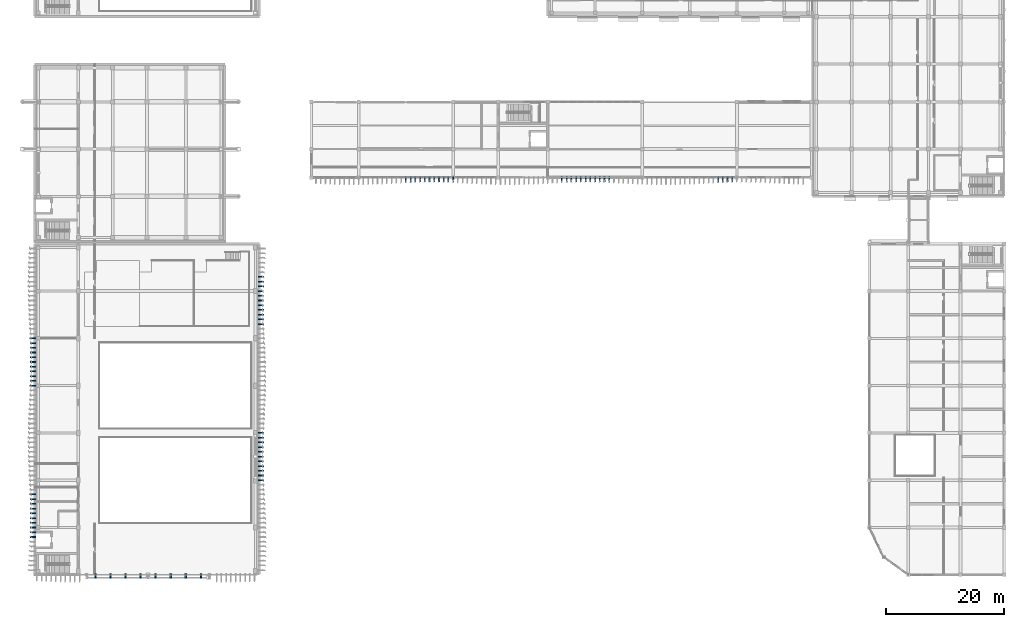
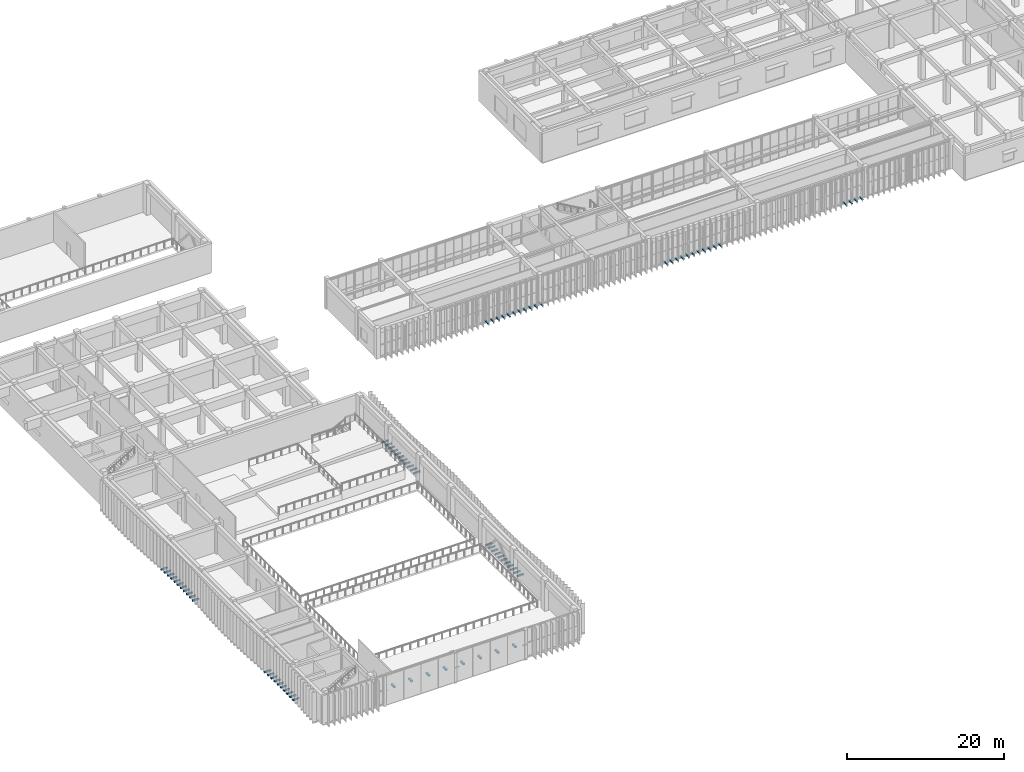
# One storey, part 50 of 64: 77 discrete accessories.
"""IFC4 building model written with IfcOpenShell, lengths in metres."""

from ifc_helpers import new_model, si_unit, direction, frame, origin, origin_2d, place, context, subcontext, project, spatial, rectangle, extrude, material, type_object, element, save


model = new_model("IFC4")

# Units and contexts
model_context = context("Model", 3, precision=1e-05, world=origin(), true_north=direction((0.0, 1.0)))
body_context = subcontext(model_context, "Body", "Model", "MODEL_VIEW")
ifc_project = project(units=[si_unit("LENGTHUNIT", "METRE"), si_unit("AREAUNIT", "SQUARE_METRE"), si_unit("VOLUMEUNIT", "CUBIC_METRE"), si_unit("PLANEANGLEUNIT", "RADIAN"), si_unit("MASSUNIT", "GRAM", prefix="KILO")], contexts=[model_context])

# Site, building, storey
site_placement = place(None, origin())
site = spatial("IfcSite", under=ifc_project, at=site_placement, CompositionType="ELEMENT")
building_placement = place(site_placement, origin())
building = spatial("IfcBuilding", under=site, at=building_placement, Name="Cinchona Park Media Centre", CompositionType="ELEMENT")
storey_placement = place(building_placement, frame((0.0, 0.0, 5.39990234375)))
storey = spatial("IfcBuildingStorey", under=building, at=storey_placement, Name="L01", CompositionType="ELEMENT", Elevation=5.39990234375)

# Discrete accessories
ifc_material = material(Name="Steel S355", Category="steel")
discrete_accessory_type = type_object("IfcDiscreteAccessoryType", Name="BRACKET-BRK01", PredefinedType="BRACKET", material=ifc_material)
discrete_accessory_1_placement = place(storey_placement, frame((7.681884765625, 47.60009765625, 0.0400390625), z_axis=(0.0, 0.0, 1.0), x_axis=(0.0, -1.0, 0.0)))
element("IfcDiscreteAccessory", 1, at=discrete_accessory_1_placement, inside=storey, type_object=discrete_accessory_type, Name="Facade Fin Outrigger Bracket L01", PredefinedType="BRACKET", context=body_context, shape_type="SweptSolid", body=[
    extrude(rectangle(XDim=0.179931640625, YDim=0.9560546875, at=origin_2d()), origin(), (0.0, 0.0, 1.0), 0.159912109375),
])
discrete_accessory_2_placement = place(storey_placement, frame((7.697021484375, 46.800048828125, 0.0400390625), z_axis=(0.0, 0.0, 1.0), x_axis=(0.0, -1.0, 0.0)))
element("IfcDiscreteAccessory", 2, at=discrete_accessory_2_placement, inside=storey, type_object=discrete_accessory_type, Name="Facade Fin Outrigger Bracket L01", PredefinedType="BRACKET", context=body_context, shape_type="SweptSolid", body=[
    extrude(rectangle(XDim=0.179931640625, YDim=0.925048828125, at=origin_2d()), origin(), (0.0, 0.0, 1.0), 0.159912109375),
])
discrete_accessory_3_placement = place(storey_placement, frame((7.7109375, 46.0, 0.0400390625), z_axis=(0.0, 0.0, 1.0), x_axis=(0.0, -1.0, 0.0)))
element("IfcDiscreteAccessory", 3, at=discrete_accessory_3_placement, inside=storey, type_object=discrete_accessory_type, Name="Facade Fin Outrigger Bracket L01", PredefinedType="BRACKET", context=body_context, shape_type="SweptSolid", body=[
    extrude(rectangle(XDim=0.179931640625, YDim=0.89892578125, at=origin_2d()), origin(), (0.0, 0.0, 1.0), 0.159912109375),
])
discrete_accessory_4_placement = place(storey_placement, frame((7.720947265625, 45.199951171875, 0.0400390625), z_axis=(0.0, 0.0, 1.0), x_axis=(0.0, -1.0, 0.0)))
element("IfcDiscreteAccessory", 4, at=discrete_accessory_4_placement, inside=storey, type_object=discrete_accessory_type, Name="Facade Fin Outrigger Bracket L01", PredefinedType="BRACKET", context=body_context, shape_type="SweptSolid", body=[
    extrude(rectangle(XDim=0.179931640625, YDim=0.87890625, at=origin_2d()), origin(), (0.0, 0.0, 1.0), 0.159912109375),
])
discrete_accessory_5_placement = place(storey_placement, frame((7.72705078125, 44.39990234375, 0.0400390625), z_axis=(0.0, 0.0, 1.0), x_axis=(0.0, -1.0, 0.0)))
element("IfcDiscreteAccessory", 5, at=discrete_accessory_5_placement, inside=storey, type_object=discrete_accessory_type, Name="Facade Fin Outrigger Bracket L01", PredefinedType="BRACKET", context=body_context, shape_type="SweptSolid", body=[
    extrude(rectangle(XDim=0.179931640625, YDim=0.865966796875, at=origin_2d()), origin(), (0.0, 0.0, 1.0), 0.159912109375),
])
discrete_accessory_6_placement = place(storey_placement, frame((7.72998046875, 43.60009765625, 0.0400390625), z_axis=(0.0, 0.0, 1.0), x_axis=(0.0, -1.0, 0.0)))
element("IfcDiscreteAccessory", 6, at=discrete_accessory_6_placement, inside=storey, type_object=discrete_accessory_type, Name="Facade Fin Outrigger Bracket L01", PredefinedType="BRACKET", context=body_context, shape_type="SweptSolid", body=[
    extrude(rectangle(XDim=0.179931640625, YDim=0.860107421875, at=origin_2d()), origin(), (0.0, 0.0, 1.0), 0.159912109375),
])
discrete_accessory_7_placement = place(storey_placement, frame((7.72900390625, 42.800048828125, 0.0400390625), z_axis=(0.0, 0.0, 1.0), x_axis=(0.0, -1.0, 0.0)))
element("IfcDiscreteAccessory", 7, at=discrete_accessory_7_placement, inside=storey, type_object=discrete_accessory_type, Name="Facade Fin Outrigger Bracket L01", PredefinedType="BRACKET", context=body_context, shape_type="SweptSolid", body=[
    extrude(rectangle(XDim=0.179931640625, YDim=0.862060546875, at=origin_2d()), origin(), (0.0, 0.0, 1.0), 0.159912109375),
])
discrete_accessory_8_placement = place(storey_placement, frame((7.72412109375, 42.0, 0.0400390625), z_axis=(0.0, 0.0, 1.0), x_axis=(0.0, -1.0, 0.0)))
element("IfcDiscreteAccessory", 8, at=discrete_accessory_8_placement, inside=storey, type_object=discrete_accessory_type, Name="Facade Fin Outrigger Bracket L01", PredefinedType="BRACKET", context=body_context, shape_type="SweptSolid", body=[
    extrude(rectangle(XDim=0.179931640625, YDim=0.8720703125, at=origin_2d()), origin(), (0.0, 0.0, 1.0), 0.159912109375),
])
discrete_accessory_9_placement = place(storey_placement, frame((7.716064453125, 41.199951171875, 0.0400390625), z_axis=(0.0, 0.0, 1.0), x_axis=(0.0, -1.0, 0.0)))
element("IfcDiscreteAccessory", 9, at=discrete_accessory_9_placement, inside=storey, type_object=discrete_accessory_type, Name="Facade Fin Outrigger Bracket L01", PredefinedType="BRACKET", context=body_context, shape_type="SweptSolid", body=[
    extrude(rectangle(XDim=0.179931640625, YDim=0.887939453125, at=origin_2d()), origin(), (0.0, 0.0, 1.0), 0.159912109375),
])
discrete_accessory_10_placement = place(storey_placement, frame((7.7041015625, 40.39990234375, 0.0400390625), z_axis=(0.0, 0.0, 1.0), x_axis=(0.0, -1.0, 0.0)))
element("IfcDiscreteAccessory", 10, at=discrete_accessory_10_placement, inside=storey, type_object=discrete_accessory_type, Name="Facade Fin Outrigger Bracket L01", PredefinedType="BRACKET", context=body_context, shape_type="SweptSolid", body=[
    extrude(rectangle(XDim=0.179931640625, YDim=0.910888671875, at=origin_2d()), origin(), (0.0, 0.0, 1.0), 0.159912109375),
])
discrete_accessory_11_placement = place(storey_placement, frame((7.68994140625, 39.60009765625, 0.0400390625), z_axis=(0.0, 0.0, 1.0), x_axis=(0.0, -1.0, 0.0)))
element("IfcDiscreteAccessory", 11, at=discrete_accessory_11_placement, inside=storey, type_object=discrete_accessory_type, Name="Facade Fin Outrigger Bracket L01", PredefinedType="BRACKET", context=body_context, shape_type="SweptSolid", body=[
    extrude(rectangle(XDim=0.179931640625, YDim=0.93994140625, at=origin_2d()), origin(), (0.0, 0.0, 1.0), 0.159912109375),
])
discrete_accessory_12_placement = place(storey_placement, frame((7.681884765625, 21.199951171875, 0.0400390625), z_axis=(0.0, 0.0, 1.0), x_axis=(0.0, -1.0, 0.0)))
element("IfcDiscreteAccessory", 12, at=discrete_accessory_12_placement, inside=storey, type_object=discrete_accessory_type, Name="Facade Fin Outrigger Bracket L01", PredefinedType="BRACKET", context=body_context, shape_type="SweptSolid", body=[
    extrude(rectangle(XDim=0.179931640625, YDim=0.9560546875, at=origin_2d()), origin(), (0.0, 0.0, 1.0), 0.159912109375),
])
discrete_accessory_13_placement = place(storey_placement, frame((7.697021484375, 20.39990234375, 0.0400390625), z_axis=(0.0, 0.0, 1.0), x_axis=(0.0, -1.0, 0.0)))
element("IfcDiscreteAccessory", 13, at=discrete_accessory_13_placement, inside=storey, type_object=discrete_accessory_type, Name="Facade Fin Outrigger Bracket L01", PredefinedType="BRACKET", context=body_context, shape_type="SweptSolid", body=[
    extrude(rectangle(XDim=0.179931640625, YDim=0.925048828125, at=origin_2d()), origin(), (0.0, 0.0, 1.0), 0.159912109375),
])
discrete_accessory_14_placement = place(storey_placement, frame((7.7109375, 19.60009765625, 0.0400390625), z_axis=(0.0, 0.0, 1.0), x_axis=(0.0, -1.0, 0.0)))
element("IfcDiscreteAccessory", 14, at=discrete_accessory_14_placement, inside=storey, type_object=discrete_accessory_type, Name="Facade Fin Outrigger Bracket L01", PredefinedType="BRACKET", context=body_context, shape_type="SweptSolid", body=[
    extrude(rectangle(XDim=0.179931640625, YDim=0.89892578125, at=origin_2d()), origin(), (0.0, 0.0, 1.0), 0.159912109375),
])
discrete_accessory_15_placement = place(storey_placement, frame((7.720947265625, 18.800048828125, 0.0400390625), z_axis=(0.0, 0.0, 1.0), x_axis=(0.0, -1.0, 0.0)))
element("IfcDiscreteAccessory", 15, at=discrete_accessory_15_placement, inside=storey, type_object=discrete_accessory_type, Name="Facade Fin Outrigger Bracket L01", PredefinedType="BRACKET", context=body_context, shape_type="SweptSolid", body=[
    extrude(rectangle(XDim=0.179931640625, YDim=0.87890625, at=origin_2d()), origin(), (0.0, 0.0, 1.0), 0.159912109375),
])
discrete_accessory_16_placement = place(storey_placement, frame((7.72705078125, 18.0, 0.0400390625), z_axis=(0.0, 0.0, 1.0), x_axis=(0.0, -1.0, 0.0)))
element("IfcDiscreteAccessory", 16, at=discrete_accessory_16_placement, inside=storey, type_object=discrete_accessory_type, Name="Facade Fin Outrigger Bracket L01", PredefinedType="BRACKET", context=body_context, shape_type="SweptSolid", body=[
    extrude(rectangle(XDim=0.179931640625, YDim=0.865966796875, at=origin_2d()), origin(), (0.0, 0.0, 1.0), 0.159912109375),
])
discrete_accessory_17_placement = place(storey_placement, frame((7.72998046875, 17.199951171875, 0.0400390625), z_axis=(0.0, 0.0, 1.0), x_axis=(0.0, -1.0, 0.0)))
element("IfcDiscreteAccessory", 17, at=discrete_accessory_17_placement, inside=storey, type_object=discrete_accessory_type, Name="Facade Fin Outrigger Bracket L01", PredefinedType="BRACKET", context=body_context, shape_type="SweptSolid", body=[
    extrude(rectangle(XDim=0.179931640625, YDim=0.860107421875, at=origin_2d()), origin(), (0.0, 0.0, 1.0), 0.159912109375),
])
discrete_accessory_18_placement = place(storey_placement, frame((7.72900390625, 16.39990234375, 0.0400390625), z_axis=(0.0, 0.0, 1.0), x_axis=(0.0, -1.0, 0.0)))
element("IfcDiscreteAccessory", 18, at=discrete_accessory_18_placement, inside=storey, type_object=discrete_accessory_type, Name="Facade Fin Outrigger Bracket L01", PredefinedType="BRACKET", context=body_context, shape_type="SweptSolid", body=[
    extrude(rectangle(XDim=0.179931640625, YDim=0.862060546875, at=origin_2d()), origin(), (0.0, 0.0, 1.0), 0.159912109375),
])
discrete_accessory_19_placement = place(storey_placement, frame((7.72412109375, 15.60009765625, 0.0400390625), z_axis=(0.0, 0.0, 1.0), x_axis=(0.0, -1.0, 0.0)))
element("IfcDiscreteAccessory", 19, at=discrete_accessory_19_placement, inside=storey, type_object=discrete_accessory_type, Name="Facade Fin Outrigger Bracket L01", PredefinedType="BRACKET", context=body_context, shape_type="SweptSolid", body=[
    extrude(rectangle(XDim=0.179931640625, YDim=0.8720703125, at=origin_2d()), origin(), (0.0, 0.0, 1.0), 0.159912109375),
])
discrete_accessory_20_placement = place(storey_placement, frame((7.716064453125, 14.800048828125, 0.0400390625), z_axis=(0.0, 0.0, 1.0), x_axis=(0.0, -1.0, 0.0)))
element("IfcDiscreteAccessory", 20, at=discrete_accessory_20_placement, inside=storey, type_object=discrete_accessory_type, Name="Facade Fin Outrigger Bracket L01", PredefinedType="BRACKET", context=body_context, shape_type="SweptSolid", body=[
    extrude(rectangle(XDim=0.179931640625, YDim=0.887939453125, at=origin_2d()), origin(), (0.0, 0.0, 1.0), 0.159912109375),
])
discrete_accessory_21_placement = place(storey_placement, frame((7.7041015625, 14.0, 0.0400390625), z_axis=(0.0, 0.0, 1.0), x_axis=(0.0, -1.0, 0.0)))
element("IfcDiscreteAccessory", 21, at=discrete_accessory_21_placement, inside=storey, type_object=discrete_accessory_type, Name="Facade Fin Outrigger Bracket L01", PredefinedType="BRACKET", context=body_context, shape_type="SweptSolid", body=[
    extrude(rectangle(XDim=0.179931640625, YDim=0.910888671875, at=origin_2d()), origin(), (0.0, 0.0, 1.0), 0.159912109375),
])
discrete_accessory_22_placement = place(storey_placement, frame((46.318115234375, 23.60009765625, 0.0400390625), z_axis=(0.0, 0.0, 1.0), x_axis=(0.0, 1.0, 0.0)))
element("IfcDiscreteAccessory", 22, at=discrete_accessory_22_placement, inside=storey, type_object=discrete_accessory_type, Name="Facade Fin Outrigger Bracket L01", PredefinedType="BRACKET", context=body_context, shape_type="SweptSolid", body=[
    extrude(rectangle(XDim=0.179931640625, YDim=0.9560546875, at=origin_2d()), origin(), (0.0, 0.0, 1.0), 0.159912109375),
])
discrete_accessory_23_placement = place(storey_placement, frame((46.302978515625, 24.39990234375, 0.0400390625), z_axis=(0.0, 0.0, 1.0), x_axis=(0.0, 1.0, 0.0)))
element("IfcDiscreteAccessory", 23, at=discrete_accessory_23_placement, inside=storey, type_object=discrete_accessory_type, Name="Facade Fin Outrigger Bracket L01", PredefinedType="BRACKET", context=body_context, shape_type="SweptSolid", body=[
    extrude(rectangle(XDim=0.179931640625, YDim=0.925048828125, at=origin_2d()), origin(), (0.0, 0.0, 1.0), 0.159912109375),
])
discrete_accessory_24_placement = place(storey_placement, frame((46.2890625, 25.199951171875, 0.0400390625), z_axis=(0.0, 0.0, 1.0), x_axis=(0.0, 1.0, 0.0)))
element("IfcDiscreteAccessory", 24, at=discrete_accessory_24_placement, inside=storey, type_object=discrete_accessory_type, Name="Facade Fin Outrigger Bracket L01", PredefinedType="BRACKET", context=body_context, shape_type="SweptSolid", body=[
    extrude(rectangle(XDim=0.179931640625, YDim=0.89892578125, at=origin_2d()), origin(), (0.0, 0.0, 1.0), 0.159912109375),
])
discrete_accessory_25_placement = place(storey_placement, frame((46.279052734375, 26.0, 0.0400390625), z_axis=(0.0, 0.0, 1.0), x_axis=(0.0, 1.0, 0.0)))
element("IfcDiscreteAccessory", 25, at=discrete_accessory_25_placement, inside=storey, type_object=discrete_accessory_type, Name="Facade Fin Outrigger Bracket L01", PredefinedType="BRACKET", context=body_context, shape_type="SweptSolid", body=[
    extrude(rectangle(XDim=0.179931640625, YDim=0.87890625, at=origin_2d()), origin(), (0.0, 0.0, 1.0), 0.159912109375),
])
discrete_accessory_26_placement = place(storey_placement, frame((46.27294921875, 26.800048828125, 0.0400390625), z_axis=(0.0, 0.0, 1.0), x_axis=(0.0, 1.0, 0.0)))
element("IfcDiscreteAccessory", 26, at=discrete_accessory_26_placement, inside=storey, type_object=discrete_accessory_type, Name="Facade Fin Outrigger Bracket L01", PredefinedType="BRACKET", context=body_context, shape_type="SweptSolid", body=[
    extrude(rectangle(XDim=0.179931640625, YDim=0.865966796875, at=origin_2d()), origin(), (0.0, 0.0, 1.0), 0.159912109375),
])
discrete_accessory_27_placement = place(storey_placement, frame((46.27001953125, 27.60009765625, 0.0400390625), z_axis=(0.0, 0.0, 1.0), x_axis=(0.0, 1.0, 0.0)))
element("IfcDiscreteAccessory", 27, at=discrete_accessory_27_placement, inside=storey, type_object=discrete_accessory_type, Name="Facade Fin Outrigger Bracket L01", PredefinedType="BRACKET", context=body_context, shape_type="SweptSolid", body=[
    extrude(rectangle(XDim=0.179931640625, YDim=0.860107421875, at=origin_2d()), origin(), (0.0, 0.0, 1.0), 0.159912109375),
])
discrete_accessory_28_placement = place(storey_placement, frame((46.27099609375, 28.39990234375, 0.0400390625), z_axis=(0.0, 0.0, 1.0), x_axis=(0.0, 1.0, 0.0)))
element("IfcDiscreteAccessory", 28, at=discrete_accessory_28_placement, inside=storey, type_object=discrete_accessory_type, Name="Facade Fin Outrigger Bracket L01", PredefinedType="BRACKET", context=body_context, shape_type="SweptSolid", body=[
    extrude(rectangle(XDim=0.179931640625, YDim=0.862060546875, at=origin_2d()), origin(), (0.0, 0.0, 1.0), 0.159912109375),
])
discrete_accessory_29_placement = place(storey_placement, frame((46.27587890625, 29.199951171875, 0.0400390625), z_axis=(0.0, 0.0, 1.0), x_axis=(0.0, 1.0, 0.0)))
element("IfcDiscreteAccessory", 29, at=discrete_accessory_29_placement, inside=storey, type_object=discrete_accessory_type, Name="Facade Fin Outrigger Bracket L01", PredefinedType="BRACKET", context=body_context, shape_type="SweptSolid", body=[
    extrude(rectangle(XDim=0.179931640625, YDim=0.8720703125, at=origin_2d()), origin(), (0.0, 0.0, 1.0), 0.159912109375),
])
discrete_accessory_30_placement = place(storey_placement, frame((46.283935546875, 30.0, 0.0400390625), z_axis=(0.0, 0.0, 1.0), x_axis=(0.0, 1.0, 0.0)))
element("IfcDiscreteAccessory", 30, at=discrete_accessory_30_placement, inside=storey, type_object=discrete_accessory_type, Name="Facade Fin Outrigger Bracket L01", PredefinedType="BRACKET", context=body_context, shape_type="SweptSolid", body=[
    extrude(rectangle(XDim=0.179931640625, YDim=0.887939453125, at=origin_2d()), origin(), (0.0, 0.0, 1.0), 0.159912109375),
])
discrete_accessory_31_placement = place(storey_placement, frame((46.2958984375, 30.800048828125, 0.0400390625), z_axis=(0.0, 0.0, 1.0), x_axis=(0.0, 1.0, 0.0)))
element("IfcDiscreteAccessory", 31, at=discrete_accessory_31_placement, inside=storey, type_object=discrete_accessory_type, Name="Facade Fin Outrigger Bracket L01", PredefinedType="BRACKET", context=body_context, shape_type="SweptSolid", body=[
    extrude(rectangle(XDim=0.179931640625, YDim=0.910888671875, at=origin_2d()), origin(), (0.0, 0.0, 1.0), 0.159912109375),
])
discrete_accessory_32_placement = place(storey_placement, frame((46.31005859375, 31.60009765625, 0.0400390625), z_axis=(0.0, 0.0, 1.0), x_axis=(0.0, 1.0, 0.0)))
element("IfcDiscreteAccessory", 32, at=discrete_accessory_32_placement, inside=storey, type_object=discrete_accessory_type, Name="Facade Fin Outrigger Bracket L01", PredefinedType="BRACKET", context=body_context, shape_type="SweptSolid", body=[
    extrude(rectangle(XDim=0.179931640625, YDim=0.93994140625, at=origin_2d()), origin(), (0.0, 0.0, 1.0), 0.159912109375),
])
discrete_accessory_33_placement = place(storey_placement, frame((46.318115234375, 50.0, 0.0400390625), z_axis=(0.0, 0.0, 1.0), x_axis=(0.0, 1.0, 0.0)))
element("IfcDiscreteAccessory", 33, at=discrete_accessory_33_placement, inside=storey, type_object=discrete_accessory_type, Name="Facade Fin Outrigger Bracket L01", PredefinedType="BRACKET", context=body_context, shape_type="SweptSolid", body=[
    extrude(rectangle(XDim=0.179931640625, YDim=0.9560546875, at=origin_2d()), origin(), (0.0, 0.0, 1.0), 0.159912109375),
])
discrete_accessory_34_placement = place(storey_placement, frame((46.302978515625, 50.800048828125, 0.0400390625), z_axis=(0.0, 0.0, 1.0), x_axis=(0.0, 1.0, 0.0)))
element("IfcDiscreteAccessory", 34, at=discrete_accessory_34_placement, inside=storey, type_object=discrete_accessory_type, Name="Facade Fin Outrigger Bracket L01", PredefinedType="BRACKET", context=body_context, shape_type="SweptSolid", body=[
    extrude(rectangle(XDim=0.179931640625, YDim=0.925048828125, at=origin_2d()), origin(), (0.0, 0.0, 1.0), 0.159912109375),
])
discrete_accessory_35_placement = place(storey_placement, frame((46.2890625, 51.60009765625, 0.0400390625), z_axis=(0.0, 0.0, 1.0), x_axis=(0.0, 1.0, 0.0)))
element("IfcDiscreteAccessory", 35, at=discrete_accessory_35_placement, inside=storey, type_object=discrete_accessory_type, Name="Facade Fin Outrigger Bracket L01", PredefinedType="BRACKET", context=body_context, shape_type="SweptSolid", body=[
    extrude(rectangle(XDim=0.179931640625, YDim=0.89892578125, at=origin_2d()), origin(), (0.0, 0.0, 1.0), 0.159912109375),
])
discrete_accessory_36_placement = place(storey_placement, frame((46.279052734375, 52.39990234375, 0.0400390625), z_axis=(0.0, 0.0, 1.0), x_axis=(0.0, 1.0, 0.0)))
element("IfcDiscreteAccessory", 36, at=discrete_accessory_36_placement, inside=storey, type_object=discrete_accessory_type, Name="Facade Fin Outrigger Bracket L01", PredefinedType="BRACKET", context=body_context, shape_type="SweptSolid", body=[
    extrude(rectangle(XDim=0.179931640625, YDim=0.87890625, at=origin_2d()), origin(), (0.0, 0.0, 1.0), 0.159912109375),
])
discrete_accessory_37_placement = place(storey_placement, frame((46.27294921875, 53.199951171875, 0.0400390625), z_axis=(0.0, 0.0, 1.0), x_axis=(0.0, 1.0, 0.0)))
element("IfcDiscreteAccessory", 37, at=discrete_accessory_37_placement, inside=storey, type_object=discrete_accessory_type, Name="Facade Fin Outrigger Bracket L01", PredefinedType="BRACKET", context=body_context, shape_type="SweptSolid", body=[
    extrude(rectangle(XDim=0.179931640625, YDim=0.865966796875, at=origin_2d()), origin(), (0.0, 0.0, 1.0), 0.159912109375),
])
discrete_accessory_38_placement = place(storey_placement, frame((46.27001953125, 54.0, 0.0400390625), z_axis=(0.0, 0.0, 1.0), x_axis=(0.0, 1.0, 0.0)))
element("IfcDiscreteAccessory", 38, at=discrete_accessory_38_placement, inside=storey, type_object=discrete_accessory_type, Name="Facade Fin Outrigger Bracket L01", PredefinedType="BRACKET", context=body_context, shape_type="SweptSolid", body=[
    extrude(rectangle(XDim=0.179931640625, YDim=0.860107421875, at=origin_2d()), origin(), (0.0, 0.0, 1.0), 0.159912109375),
])
discrete_accessory_39_placement = place(storey_placement, frame((46.27099609375, 54.800048828125, 0.0400390625), z_axis=(0.0, 0.0, 1.0), x_axis=(0.0, 1.0, 0.0)))
element("IfcDiscreteAccessory", 39, at=discrete_accessory_39_placement, inside=storey, type_object=discrete_accessory_type, Name="Facade Fin Outrigger Bracket L01", PredefinedType="BRACKET", context=body_context, shape_type="SweptSolid", body=[
    extrude(rectangle(XDim=0.179931640625, YDim=0.862060546875, at=origin_2d()), origin(), (0.0, 0.0, 1.0), 0.159912109375),
])
discrete_accessory_40_placement = place(storey_placement, frame((46.27587890625, 55.60009765625, 0.0400390625), z_axis=(0.0, 0.0, 1.0), x_axis=(0.0, 1.0, 0.0)))
element("IfcDiscreteAccessory", 40, at=discrete_accessory_40_placement, inside=storey, type_object=discrete_accessory_type, Name="Facade Fin Outrigger Bracket L01", PredefinedType="BRACKET", context=body_context, shape_type="SweptSolid", body=[
    extrude(rectangle(XDim=0.179931640625, YDim=0.8720703125, at=origin_2d()), origin(), (0.0, 0.0, 1.0), 0.159912109375),
])
discrete_accessory_41_placement = place(storey_placement, frame((46.283935546875, 56.39990234375, 0.0400390625), z_axis=(0.0, 0.0, 1.0), x_axis=(0.0, 1.0, 0.0)))
element("IfcDiscreteAccessory", 41, at=discrete_accessory_41_placement, inside=storey, type_object=discrete_accessory_type, Name="Facade Fin Outrigger Bracket L01", PredefinedType="BRACKET", context=body_context, shape_type="SweptSolid", body=[
    extrude(rectangle(XDim=0.179931640625, YDim=0.887939453125, at=origin_2d()), origin(), (0.0, 0.0, 1.0), 0.159912109375),
])
discrete_accessory_42_placement = place(storey_placement, frame((46.2958984375, 57.199951171875, 0.0400390625), z_axis=(0.0, 0.0, 1.0), x_axis=(0.0, 1.0, 0.0)))
element("IfcDiscreteAccessory", 42, at=discrete_accessory_42_placement, inside=storey, type_object=discrete_accessory_type, Name="Facade Fin Outrigger Bracket L01", PredefinedType="BRACKET", context=body_context, shape_type="SweptSolid", body=[
    extrude(rectangle(XDim=0.179931640625, YDim=0.910888671875, at=origin_2d()), origin(), (0.0, 0.0, 1.0), 0.159912109375),
])
discrete_accessory_43_placement = place(storey_placement, frame((46.31005859375, 58.0, 0.0400390625), z_axis=(0.0, 0.0, 1.0), x_axis=(0.0, 1.0, 0.0)))
element("IfcDiscreteAccessory", 43, at=discrete_accessory_43_placement, inside=storey, type_object=discrete_accessory_type, Name="Facade Fin Outrigger Bracket L01", PredefinedType="BRACKET", context=body_context, shape_type="SweptSolid", body=[
    extrude(rectangle(XDim=0.179931640625, YDim=0.93994140625, at=origin_2d()), origin(), (0.0, 0.0, 1.0), 0.159912109375),
])
discrete_accessory_44_placement = place(storey_placement, frame((70.800048828125, 74.48193359375, 0.0400390625), z_axis=(0.0, 0.0, 1.0), x_axis=(1.0, 0.0, 0.0)))
element("IfcDiscreteAccessory", 44, at=discrete_accessory_44_placement, inside=storey, type_object=discrete_accessory_type, Name="Facade Fin Outrigger Bracket L01", PredefinedType="BRACKET", context=body_context, shape_type="SweptSolid", body=[
    extrude(rectangle(XDim=0.179931640625, YDim=0.9560546875, at=origin_2d()), origin(), (0.0, 0.0, 1.0), 0.159912109375),
])
discrete_accessory_45_placement = place(storey_placement, frame((71.60009765625, 74.4970703125, 0.0400390625), z_axis=(0.0, 0.0, 1.0), x_axis=(1.0, 0.0, 0.0)))
element("IfcDiscreteAccessory", 45, at=discrete_accessory_45_placement, inside=storey, type_object=discrete_accessory_type, Name="Facade Fin Outrigger Bracket L01", PredefinedType="BRACKET", context=body_context, shape_type="SweptSolid", body=[
    extrude(rectangle(XDim=0.179931640625, YDim=0.925048828125, at=origin_2d()), origin(), (0.0, 0.0, 1.0), 0.159912109375),
])
discrete_accessory_46_placement = place(storey_placement, frame((72.39990234375, 74.510986328125, 0.0400390625), z_axis=(0.0, 0.0, 1.0), x_axis=(1.0, 0.0, 0.0)))
element("IfcDiscreteAccessory", 46, at=discrete_accessory_46_placement, inside=storey, type_object=discrete_accessory_type, Name="Facade Fin Outrigger Bracket L01", PredefinedType="BRACKET", context=body_context, shape_type="SweptSolid", body=[
    extrude(rectangle(XDim=0.179931640625, YDim=0.89892578125, at=origin_2d()), origin(), (0.0, 0.0, 1.0), 0.159912109375),
])
discrete_accessory_47_placement = place(storey_placement, frame((73.199951171875, 74.52099609375, 0.0400390625), z_axis=(0.0, 0.0, 1.0), x_axis=(1.0, 0.0, 0.0)))
element("IfcDiscreteAccessory", 47, at=discrete_accessory_47_placement, inside=storey, type_object=discrete_accessory_type, Name="Facade Fin Outrigger Bracket L01", PredefinedType="BRACKET", context=body_context, shape_type="SweptSolid", body=[
    extrude(rectangle(XDim=0.179931640625, YDim=0.87890625, at=origin_2d()), origin(), (0.0, 0.0, 1.0), 0.159912109375),
])
discrete_accessory_48_placement = place(storey_placement, frame((74.0, 74.527099609375, 0.0400390625), z_axis=(0.0, 0.0, 1.0), x_axis=(1.0, 0.0, 0.0)))
element("IfcDiscreteAccessory", 48, at=discrete_accessory_48_placement, inside=storey, type_object=discrete_accessory_type, Name="Facade Fin Outrigger Bracket L01", PredefinedType="BRACKET", context=body_context, shape_type="SweptSolid", body=[
    extrude(rectangle(XDim=0.179931640625, YDim=0.865966796875, at=origin_2d()), origin(), (0.0, 0.0, 1.0), 0.159912109375),
])
discrete_accessory_49_placement = place(storey_placement, frame((74.800048828125, 74.530029296875, 0.0400390625), z_axis=(0.0, 0.0, 1.0), x_axis=(1.0, 0.0, 0.0)))
element("IfcDiscreteAccessory", 49, at=discrete_accessory_49_placement, inside=storey, type_object=discrete_accessory_type, Name="Facade Fin Outrigger Bracket L01", PredefinedType="BRACKET", context=body_context, shape_type="SweptSolid", body=[
    extrude(rectangle(XDim=0.179931640625, YDim=0.860107421875, at=origin_2d()), origin(), (0.0, 0.0, 1.0), 0.159912109375),
])
discrete_accessory_50_placement = place(storey_placement, frame((75.60009765625, 74.529052734375, 0.0400390625), z_axis=(0.0, 0.0, 1.0), x_axis=(1.0, 0.0, 0.0)))
element("IfcDiscreteAccessory", 50, at=discrete_accessory_50_placement, inside=storey, type_object=discrete_accessory_type, Name="Facade Fin Outrigger Bracket L01", PredefinedType="BRACKET", context=body_context, shape_type="SweptSolid", body=[
    extrude(rectangle(XDim=0.179931640625, YDim=0.862060546875, at=origin_2d()), origin(), (0.0, 0.0, 1.0), 0.159912109375),
])
discrete_accessory_51_placement = place(storey_placement, frame((76.39990234375, 74.52392578125, 0.0400390625), z_axis=(0.0, 0.0, 1.0), x_axis=(1.0, 0.0, 0.0)))
element("IfcDiscreteAccessory", 51, at=discrete_accessory_51_placement, inside=storey, type_object=discrete_accessory_type, Name="Facade Fin Outrigger Bracket L01", PredefinedType="BRACKET", context=body_context, shape_type="SweptSolid", body=[
    extrude(rectangle(XDim=0.179931640625, YDim=0.8720703125, at=origin_2d()), origin(), (0.0, 0.0, 1.0), 0.159912109375),
])
discrete_accessory_52_placement = place(storey_placement, frame((77.199951171875, 74.51611328125, 0.0400390625), z_axis=(0.0, 0.0, 1.0), x_axis=(1.0, 0.0, 0.0)))
element("IfcDiscreteAccessory", 52, at=discrete_accessory_52_placement, inside=storey, type_object=discrete_accessory_type, Name="Facade Fin Outrigger Bracket L01", PredefinedType="BRACKET", context=body_context, shape_type="SweptSolid", body=[
    extrude(rectangle(XDim=0.179931640625, YDim=0.887939453125, at=origin_2d()), origin(), (0.0, 0.0, 1.0), 0.159912109375),
])
discrete_accessory_53_placement = place(storey_placement, frame((78.0, 74.50390625, 0.0400390625), z_axis=(0.0, 0.0, 1.0), x_axis=(1.0, 0.0, 0.0)))
element("IfcDiscreteAccessory", 53, at=discrete_accessory_53_placement, inside=storey, type_object=discrete_accessory_type, Name="Facade Fin Outrigger Bracket L01", PredefinedType="BRACKET", context=body_context, shape_type="SweptSolid", body=[
    extrude(rectangle(XDim=0.179931640625, YDim=0.910888671875, at=origin_2d()), origin(), (0.0, 0.0, 1.0), 0.159912109375),
])
discrete_accessory_54_placement = place(storey_placement, frame((78.800048828125, 74.489990234375, 0.0400390625), z_axis=(0.0, 0.0, 1.0), x_axis=(1.0, 0.0, 0.0)))
element("IfcDiscreteAccessory", 54, at=discrete_accessory_54_placement, inside=storey, type_object=discrete_accessory_type, Name="Facade Fin Outrigger Bracket L01", PredefinedType="BRACKET", context=body_context, shape_type="SweptSolid", body=[
    extrude(rectangle(XDim=0.179931640625, YDim=0.93994140625, at=origin_2d()), origin(), (0.0, 0.0, 1.0), 0.159912109375),
])
discrete_accessory_55_placement = place(storey_placement, frame((97.199951171875, 74.48193359375, 0.0400390625), z_axis=(0.0, 0.0, 1.0), x_axis=(1.0, 0.0, 0.0)))
element("IfcDiscreteAccessory", 55, at=discrete_accessory_55_placement, inside=storey, type_object=discrete_accessory_type, Name="Facade Fin Outrigger Bracket L01", PredefinedType="BRACKET", context=body_context, shape_type="SweptSolid", body=[
    extrude(rectangle(XDim=0.179931640625, YDim=0.9560546875, at=origin_2d()), origin(), (0.0, 0.0, 1.0), 0.159912109375),
])
discrete_accessory_56_placement = place(storey_placement, frame((98.0, 74.4970703125, 0.0400390625), z_axis=(0.0, 0.0, 1.0), x_axis=(1.0, 0.0, 0.0)))
element("IfcDiscreteAccessory", 56, at=discrete_accessory_56_placement, inside=storey, type_object=discrete_accessory_type, Name="Facade Fin Outrigger Bracket L01", PredefinedType="BRACKET", context=body_context, shape_type="SweptSolid", body=[
    extrude(rectangle(XDim=0.179931640625, YDim=0.925048828125, at=origin_2d()), origin(), (0.0, 0.0, 1.0), 0.159912109375),
])
discrete_accessory_57_placement = place(storey_placement, frame((98.800048828125, 74.510986328125, 0.0400390625), z_axis=(0.0, 0.0, 1.0), x_axis=(1.0, 0.0, 0.0)))
element("IfcDiscreteAccessory", 57, at=discrete_accessory_57_placement, inside=storey, type_object=discrete_accessory_type, Name="Facade Fin Outrigger Bracket L01", PredefinedType="BRACKET", context=body_context, shape_type="SweptSolid", body=[
    extrude(rectangle(XDim=0.179931640625, YDim=0.89892578125, at=origin_2d()), origin(), (0.0, 0.0, 1.0), 0.159912109375),
])
discrete_accessory_58_placement = place(storey_placement, frame((99.60009765625, 74.52099609375, 0.0400390625), z_axis=(0.0, 0.0, 1.0), x_axis=(1.0, 0.0, 0.0)))
element("IfcDiscreteAccessory", 58, at=discrete_accessory_58_placement, inside=storey, type_object=discrete_accessory_type, Name="Facade Fin Outrigger Bracket L01", PredefinedType="BRACKET", context=body_context, shape_type="SweptSolid", body=[
    extrude(rectangle(XDim=0.179931640625, YDim=0.87890625, at=origin_2d()), origin(), (0.0, 0.0, 1.0), 0.159912109375),
])
discrete_accessory_59_placement = place(storey_placement, frame((100.39990234375, 74.527099609375, 0.0400390625), z_axis=(0.0, 0.0, 1.0), x_axis=(1.0, 0.0, 0.0)))
element("IfcDiscreteAccessory", 59, at=discrete_accessory_59_placement, inside=storey, type_object=discrete_accessory_type, Name="Facade Fin Outrigger Bracket L01", PredefinedType="BRACKET", context=body_context, shape_type="SweptSolid", body=[
    extrude(rectangle(XDim=0.179931640625, YDim=0.865966796875, at=origin_2d()), origin(), (0.0, 0.0, 1.0), 0.159912109375),
])
discrete_accessory_60_placement = place(storey_placement, frame((101.199951171875, 74.530029296875, 0.0400390625), z_axis=(0.0, 0.0, 1.0), x_axis=(1.0, 0.0, 0.0)))
element("IfcDiscreteAccessory", 60, at=discrete_accessory_60_placement, inside=storey, type_object=discrete_accessory_type, Name="Facade Fin Outrigger Bracket L01", PredefinedType="BRACKET", context=body_context, shape_type="SweptSolid", body=[
    extrude(rectangle(XDim=0.179931640625, YDim=0.860107421875, at=origin_2d()), origin(), (0.0, 0.0, 1.0), 0.159912109375),
])
discrete_accessory_61_placement = place(storey_placement, frame((102.0, 74.529052734375, 0.0400390625), z_axis=(0.0, 0.0, 1.0), x_axis=(1.0, 0.0, 0.0)))
element("IfcDiscreteAccessory", 61, at=discrete_accessory_61_placement, inside=storey, type_object=discrete_accessory_type, Name="Facade Fin Outrigger Bracket L01", PredefinedType="BRACKET", context=body_context, shape_type="SweptSolid", body=[
    extrude(rectangle(XDim=0.179931640625, YDim=0.862060546875, at=origin_2d()), origin(), (0.0, 0.0, 1.0), 0.159912109375),
])
discrete_accessory_62_placement = place(storey_placement, frame((102.800048828125, 74.52392578125, 0.0400390625), z_axis=(0.0, 0.0, 1.0), x_axis=(1.0, 0.0, 0.0)))
element("IfcDiscreteAccessory", 62, at=discrete_accessory_62_placement, inside=storey, type_object=discrete_accessory_type, Name="Facade Fin Outrigger Bracket L01", PredefinedType="BRACKET", context=body_context, shape_type="SweptSolid", body=[
    extrude(rectangle(XDim=0.179931640625, YDim=0.8720703125, at=origin_2d()), origin(), (0.0, 0.0, 1.0), 0.159912109375),
])
discrete_accessory_63_placement = place(storey_placement, frame((103.60009765625, 74.51611328125, 0.0400390625), z_axis=(0.0, 0.0, 1.0), x_axis=(1.0, 0.0, 0.0)))
element("IfcDiscreteAccessory", 63, at=discrete_accessory_63_placement, inside=storey, type_object=discrete_accessory_type, Name="Facade Fin Outrigger Bracket L01", PredefinedType="BRACKET", context=body_context, shape_type="SweptSolid", body=[
    extrude(rectangle(XDim=0.179931640625, YDim=0.887939453125, at=origin_2d()), origin(), (0.0, 0.0, 1.0), 0.159912109375),
])
discrete_accessory_64_placement = place(storey_placement, frame((104.39990234375, 74.50390625, 0.0400390625), z_axis=(0.0, 0.0, 1.0), x_axis=(1.0, 0.0, 0.0)))
element("IfcDiscreteAccessory", 64, at=discrete_accessory_64_placement, inside=storey, type_object=discrete_accessory_type, Name="Facade Fin Outrigger Bracket L01", PredefinedType="BRACKET", context=body_context, shape_type="SweptSolid", body=[
    extrude(rectangle(XDim=0.179931640625, YDim=0.910888671875, at=origin_2d()), origin(), (0.0, 0.0, 1.0), 0.159912109375),
])
discrete_accessory_65_placement = place(storey_placement, frame((105.199951171875, 74.489990234375, 0.0400390625), z_axis=(0.0, 0.0, 1.0), x_axis=(1.0, 0.0, 0.0)))
element("IfcDiscreteAccessory", 65, at=discrete_accessory_65_placement, inside=storey, type_object=discrete_accessory_type, Name="Facade Fin Outrigger Bracket L01", PredefinedType="BRACKET", context=body_context, shape_type="SweptSolid", body=[
    extrude(rectangle(XDim=0.179931640625, YDim=0.93994140625, at=origin_2d()), origin(), (0.0, 0.0, 1.0), 0.159912109375),
])
discrete_accessory_66_placement = place(storey_placement, frame((123.60009765625, 74.48193359375, 0.0400390625), z_axis=(0.0, 0.0, 1.0), x_axis=(1.0, 0.0, 0.0)))
element("IfcDiscreteAccessory", 66, at=discrete_accessory_66_placement, inside=storey, type_object=discrete_accessory_type, Name="Facade Fin Outrigger Bracket L01", PredefinedType="BRACKET", context=body_context, shape_type="SweptSolid", body=[
    extrude(rectangle(XDim=0.179931640625, YDim=0.9560546875, at=origin_2d()), origin(), (0.0, 0.0, 1.0), 0.159912109375),
])
discrete_accessory_67_placement = place(storey_placement, frame((124.39990234375, 74.4970703125, 0.0400390625), z_axis=(0.0, 0.0, 1.0), x_axis=(1.0, 0.0, 0.0)))
element("IfcDiscreteAccessory", 67, at=discrete_accessory_67_placement, inside=storey, type_object=discrete_accessory_type, Name="Facade Fin Outrigger Bracket L01", PredefinedType="BRACKET", context=body_context, shape_type="SweptSolid", body=[
    extrude(rectangle(XDim=0.179931640625, YDim=0.925048828125, at=origin_2d()), origin(), (0.0, 0.0, 1.0), 0.159912109375),
])
discrete_accessory_68_placement = place(storey_placement, frame((125.199951171875, 74.510986328125, 0.0400390625), z_axis=(0.0, 0.0, 1.0), x_axis=(1.0, 0.0, 0.0)))
element("IfcDiscreteAccessory", 68, at=discrete_accessory_68_placement, inside=storey, type_object=discrete_accessory_type, Name="Facade Fin Outrigger Bracket L01", PredefinedType="BRACKET", context=body_context, shape_type="SweptSolid", body=[
    extrude(rectangle(XDim=0.179931640625, YDim=0.89892578125, at=origin_2d()), origin(), (0.0, 0.0, 1.0), 0.159912109375),
])
discrete_accessory_69_placement = place(storey_placement, frame((126.0, 74.52099609375, 0.0400390625), z_axis=(0.0, 0.0, 1.0), x_axis=(1.0, 0.0, 0.0)))
element("IfcDiscreteAccessory", 69, at=discrete_accessory_69_placement, inside=storey, type_object=discrete_accessory_type, Name="Facade Fin Outrigger Bracket L01", PredefinedType="BRACKET", context=body_context, shape_type="SweptSolid", body=[
    extrude(rectangle(XDim=0.179931640625, YDim=0.87890625, at=origin_2d()), origin(), (0.0, 0.0, 1.0), 0.159912109375),
])
for number, where, z_axis, x_axis, name in (
    (70, (18.27490234375, 7.419921875, 2.3798828125), (0.0, 0.0, 1.0), (1.0, 0.0, 0.0), "Screen Frame Bracket 1"),
    (71, (20.824951171875, 7.419921875, 2.3798828125), (0.0, 0.0, 1.0), (1.0, 0.0, 0.0), "Screen Frame Bracket 2"),
    (72, (23.375, 7.419921875, 2.3798828125), (0.0, 0.0, 1.0), (1.0, 0.0, 0.0), "Screen Frame Bracket 3"),
    (73, (25.925048828125, 7.419921875, 2.3798828125), (0.0, 0.0, 1.0), (1.0, 0.0, 0.0), "Screen Frame Bracket 4"),
    (74, (28.47509765625, 7.419921875, 2.3798828125), (0.0, 0.0, 1.0), (1.0, 0.0, 0.0), "Screen Frame Bracket 5"),
    (75, (31.02490234375, 7.419921875, 2.3798828125), (0.0, 0.0, 1.0), (1.0, 0.0, 0.0), "Screen Frame Bracket 6"),
    (76, (33.574951171875, 7.419921875, 2.3798828125), (0.0, 0.0, 1.0), (1.0, 0.0, 0.0), "Screen Frame Bracket 7"),
    (77, (36.125, 7.419921875, 2.3798828125), (0.0, 0.0, 1.0), (1.0, 0.0, 0.0), "Screen Frame Bracket 8"),
):
    element("IfcDiscreteAccessory", number, at=place(storey_placement, frame(where, z_axis=z_axis, x_axis=x_axis)), inside=storey, type_object=discrete_accessory_type, Name=name, PredefinedType="BRACKET", context=body_context, shape_type="SweptSolid", body=[
        extrude(rectangle(XDim=0.280029296875, YDim=0.760009765625, at=origin_2d()), origin(), (0.0, 0.0, 1.0), 0.239990234375),
    ])

save(model, "model.ifc")
